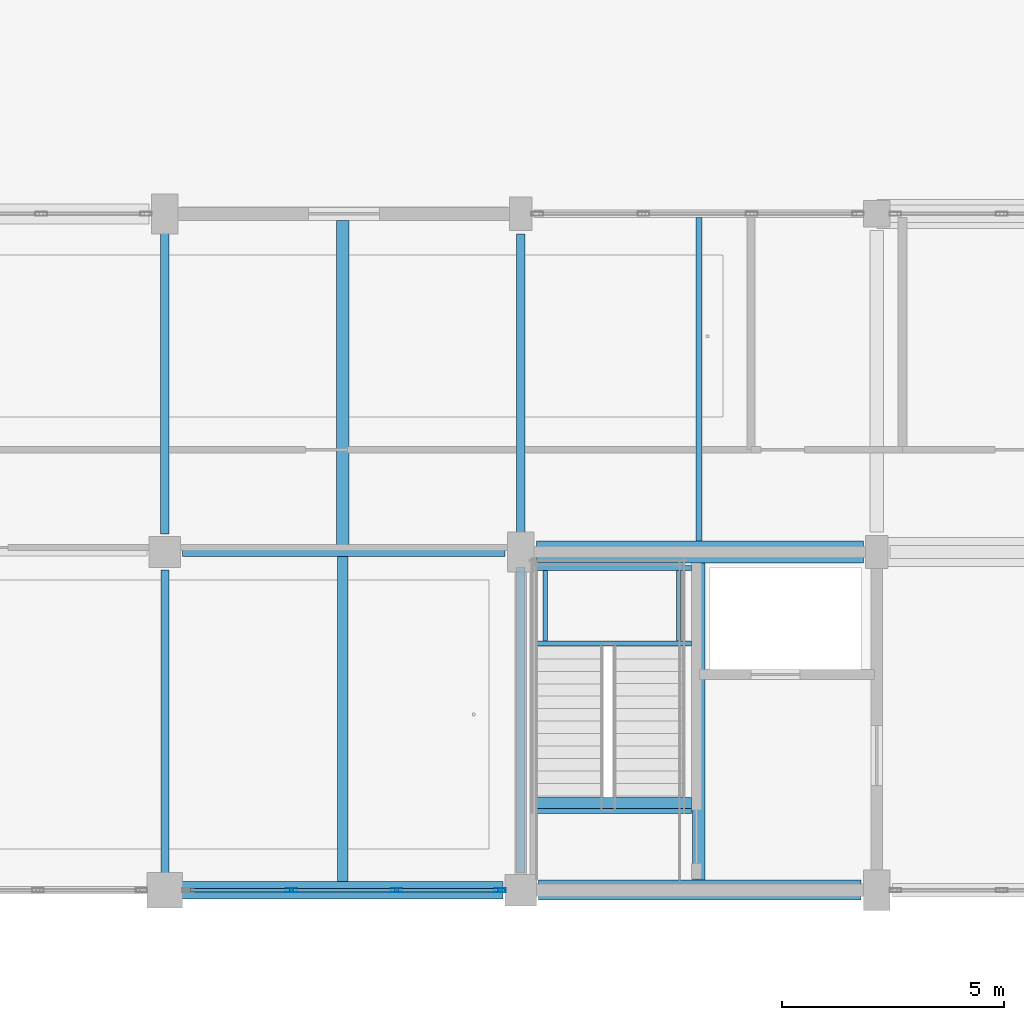
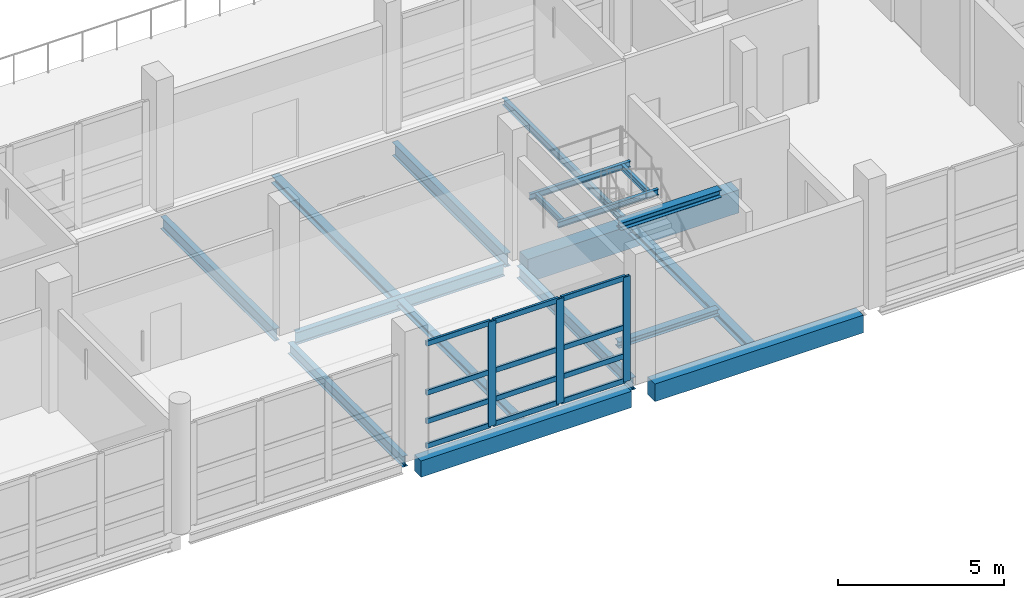
# One storey, part 30 of 147: 18 beams, 15 members, 1 element without a shape of its own.
"""IFC4 building model written with IfcOpenShell, lengths in metres."""

from ifc_helpers import new_model, si_unit, direction, frame, origin, origin_2d, place, context, subcontext, project, spatial, rectangle, hollow_rectangle, i_section, extrude, material, material_profile, profile_set, type_object, element, aggregate, save


model = new_model("IFC4")

# Units and contexts
model_context = context("Model", 3, precision=1e-05, world=origin(), true_north=direction((0.0, 1.0)))
body_context = subcontext(model_context, "Body", "Model", "MODEL_VIEW")
ifc_project = project(units=[si_unit("LENGTHUNIT", "METRE"), si_unit("AREAUNIT", "SQUARE_METRE"), si_unit("VOLUMEUNIT", "CUBIC_METRE"), si_unit("PLANEANGLEUNIT", "RADIAN"), si_unit("MASSUNIT", "GRAM", prefix="KILO")], contexts=[model_context])

# Site, building, storey
site_placement = place(None, origin())
site = spatial("IfcSite", under=ifc_project, at=site_placement, CompositionType="ELEMENT")
building_placement = place(site_placement, origin())
building = spatial("IfcBuilding", under=site, at=building_placement, Name="Khelvaren Railside Concert Hall", CompositionType="ELEMENT")
storey_placement = place(building_placement, frame((0.0, 0.0, 5.39990234375)))
storey = spatial("IfcBuildingStorey", under=building, at=storey_placement, Name="L01", CompositionType="ELEMENT", Elevation=5.39990234375)

# Beams
ifc_material_1 = material(Name="Steel S355", Category="steel")
ifc_material_profile_1 = material_profile(ifc_material_1, i_section(OverallWidth=0.179931640625, OverallDepth=0.39990234375, WebThickness=0.008544921875, FlangeThickness=0.013427734375, FilletRadius=0.02099609375, at=origin_2d()), Name="IPE 400")
ifc_profile_set_1 = profile_set([ifc_material_profile_1], Name="Steel S355")
beam_type_1 = type_object("IfcBeamType", Name="BM29", PredefinedType="BEAM", material=ifc_profile_set_1)
beam_1_placement = place(storey_placement, frame((112.0, 0.27294921875, -0.5), z_axis=(0.0, 1.0, 0.0), x_axis=(-1.0, 0.0, 0.0)))
element("IfcBeam", 1, at=beam_1_placement, inside=storey, type_object=beam_type_1, Name="V3 L01 Beam Y7.1", PredefinedType="BEAM", context=body_context, shape_type="SweptSolid", body=[
    extrude(i_section(OverallWidth=0.179931640625, OverallDepth=0.39990234375, WebThickness=0.008544921875, FlangeThickness=0.013427734375, FilletRadius=0.02099609375, at=origin_2d()), origin(), (0.0, 0.0, 1.0), 6.927001953125),
])
ifc_material_profile_2 = material_profile(ifc_material_1, i_section(OverallWidth=0.239990234375, OverallDepth=0.22998046875, WebThickness=0.007568359375, FlangeThickness=0.011962890625, FilletRadius=0.02099609375, at=origin_2d()), Name="HEA 240")
ifc_profile_set_2 = profile_set([ifc_material_profile_2], Name="Steel S355")
beam_type_2 = type_object("IfcBeamType", Name="BM42", PredefinedType="BEAM", material=ifc_profile_set_2)
beam_2_placement = place(storey_placement, frame((120.344970703125, 1.960693359375, -0.114990234375), z_axis=(1.0, 0.0, 0.0), x_axis=(0.0, 1.0, 0.0)))
element("IfcBeam", 2, at=beam_2_placement, inside=storey, type_object=beam_type_2, Name="ST-06 L01 Stair Foot Trimmer Beam", PredefinedType="BEAM", context=body_context, shape_type="SweptSolid", body=[
    extrude(i_section(OverallWidth=0.239990234375, OverallDepth=0.22998046875, WebThickness=0.007568359375, FlangeThickness=0.011962890625, FilletRadius=0.02099609375, at=origin_2d()), origin(), (0.0, 0.0, 1.0), 3.4951171875),
])
ifc_material_profile_3 = material_profile(ifc_material_1, i_section(OverallWidth=0.199951171875, OverallDepth=0.5, WebThickness=0.01025390625, FlangeThickness=0.01611328125, FilletRadius=0.02099609375, at=origin_2d()), Name="IPE 500")
ifc_profile_set_3 = profile_set([ifc_material_profile_3], Name="Steel S355")
beam_type_3 = type_object("IfcBeamType", Name="BM62", PredefinedType="BEAM", material=ifc_profile_set_3)
beam_3_placement = place(storey_placement, frame((120.0, 7.949951171875, -0.5498046875), z_axis=(0.0, 1.0, 0.0), x_axis=(-1.0, 0.0, 0.0)))
element("IfcBeam", 3, at=beam_3_placement, inside=storey, type_object=beam_type_3, Name="V3 L01 Beam Y8.2", PredefinedType="BEAM", context=body_context, shape_type="SweptSolid", body=[
    extrude(i_section(OverallWidth=0.199951171875, OverallDepth=0.5, WebThickness=0.01025390625, FlangeThickness=0.01611328125, FilletRadius=0.02099609375, at=origin_2d()), origin(), (0.0, 0.0, 1.0), 6.800048828125),
])
ifc_material_profile_4 = material_profile(ifc_material_1, i_section(OverallWidth=0.110107421875, OverallDepth=0.219970703125, WebThickness=0.005859375, FlangeThickness=0.00927734375, FilletRadius=0.011962890625, at=origin_2d()), Name="IPE 220")
ifc_profile_set_4 = profile_set([ifc_material_profile_4], Name="Steel S355")
beam_type_4 = type_object("IfcBeamType", Name="BM87", PredefinedType="BEAM", material=ifc_profile_set_4)
for number, where, z_axis, x_axis, name in (
    (4, (120.344970703125, 5.544921875, 2.090087890625), (1.0, 0.0, 0.0), (0.0, 1.0, 0.0), "ST-06 L01 Half-Landing Front Beam"),
    (5, (120.344970703125, 7.239990234375, 2.090087890625), (1.0, 0.0, 0.0), (0.0, 1.0, 0.0), "ST-06 L01 Half-Landing Rear Beam"),
):
    element("IfcBeam", number, at=place(storey_placement, frame(where, z_axis=z_axis, x_axis=x_axis)), inside=storey, type_object=beam_type_4, Name=name, PredefinedType="BEAM", context=body_context, shape_type="SweptSolid", body=[
        extrude(i_section(OverallWidth=0.110107421875, OverallDepth=0.219970703125, WebThickness=0.005859375, FlangeThickness=0.00927734375, FilletRadius=0.011962890625, at=origin_2d()), origin(), (0.0, 0.0, 1.0), 3.4951171875),
    ])
for number, where, z_axis, x_axis, name in (
    (6, (120.550048828125, 5.60009765625, 2.090087890625), (0.0, 1.0, 0.0), (-1.0, 0.0, 0.0), "ST-06 L01 Half-Landing Side Tie W"),
    (7, (123.550048828125, 5.60009765625, 2.090087890625), (0.0, 1.0, 0.0), (-1.0, 0.0, 0.0), "ST-06 L01 Half-Landing Side Tie E"),
):
    element("IfcBeam", number, at=place(storey_placement, frame(where, z_axis=z_axis, x_axis=x_axis)), inside=storey, type_object=beam_type_4, Name=name, PredefinedType="BEAM", context=body_context, shape_type="SweptSolid", body=[
        extrude(i_section(OverallWidth=0.110107421875, OverallDepth=0.219970703125, WebThickness=0.005859375, FlangeThickness=0.00927734375, FilletRadius=0.011962890625, at=origin_2d()), origin(), (0.0, 0.0, 1.0), 1.5849609375),
    ])
ifc_material_profile_5 = material_profile(ifc_material_1, i_section(OverallWidth=0.280029296875, OverallDepth=0.27001953125, WebThickness=0.008056640625, FlangeThickness=0.012939453125, FilletRadius=0.02392578125, at=origin_2d()), Name="HEA 280")
ifc_profile_set_5 = profile_set([ifc_material_profile_5], Name="Steel S355")
beam_type_5 = type_object("IfcBeamType", Name="BM93", PredefinedType="BEAM", material=ifc_profile_set_5)
beam_4_placement = place(storey_placement, frame((120.344970703125, 1.860107421875, 4.31787109375), z_axis=(1.0, 0.0, 0.0), x_axis=(0.0, 1.0, 0.0)))
element("IfcBeam", 8, at=beam_4_placement, inside=storey, type_object=beam_type_5, Name="ST-06 L01 Stair Top Arrival Trimmer Beam", PredefinedType="BEAM", context=body_context, shape_type="SweptSolid", body=[
    extrude(i_section(OverallWidth=0.280029296875, OverallDepth=0.27001953125, WebThickness=0.008056640625, FlangeThickness=0.012939453125, FilletRadius=0.02392578125, at=origin_2d()), origin(), (0.0, 0.0, 1.0), 3.4951171875),
])
ifc_material_profile_6 = material_profile(ifc_material_1, i_section(OverallWidth=0.18994140625, OverallDepth=0.449951171875, WebThickness=0.009521484375, FlangeThickness=0.0146484375, FilletRadius=0.02099609375, at=origin_2d()), Name="IPE 450")
ifc_profile_set_6 = profile_set([ifc_material_profile_6], Name="Steel S355")
beam_type_6 = type_object("IfcBeamType", Name="BM95", PredefinedType="BEAM", material=ifc_profile_set_6)
beam_5_placement = place(storey_placement, frame((112.39990234375, 7.60009765625, -0.52490234375), z_axis=(1.0, 0.0, 0.0), x_axis=(0.0, 1.0, 0.0)))
element("IfcBeam", 9, at=beam_5_placement, inside=storey, type_object=beam_type_6, Name="V3 L01 Beam X2.7", PredefinedType="BEAM", context=body_context, shape_type="SweptSolid", body=[
    extrude(i_section(OverallWidth=0.18994140625, OverallDepth=0.449951171875, WebThickness=0.009521484375, FlangeThickness=0.0146484375, FilletRadius=0.02099609375, at=origin_2d()), origin(), (0.0, 0.0, 1.0), 7.25),
])
for number, where, z_axis, x_axis, name in (
    (10, (112.0, 8.0, -0.52490234375), (0.0, 1.0, 0.0), (-1.0, 0.0, 0.0), "V3 L01 Beam Y7.2"),
    (11, (120.0, 0.39990234375, -0.52490234375), (0.0, 1.0, 0.0), (-1.0, 0.0, 0.0), "V3 L01 Beam Y8.1"),
):
    element("IfcBeam", number, at=place(storey_placement, frame(where, z_axis=z_axis, x_axis=x_axis)), inside=storey, type_object=beam_type_6, Name=name, PredefinedType="BEAM", context=body_context, shape_type="SweptSolid", body=[
        extrude(i_section(OverallWidth=0.18994140625, OverallDepth=0.449951171875, WebThickness=0.009521484375, FlangeThickness=0.0146484375, FilletRadius=0.02099609375, at=origin_2d()), origin(), (0.0, 0.0, 1.0), 6.85009765625),
    ])

# Curtain wall, members
ifc_material_2 = material(Name="Acoustic laminated crystal facade glass", Category="glass")
curtain_wall_type = type_object("IfcCurtainWallType", Name="CW66", PredefinedType="USERDEFINED", material=ifc_material_2)
curtain_wall_placement = place(storey_placement, origin())
curtain_wall = element("IfcCurtainWall", 12, at=curtain_wall_placement, inside=storey, type_object=curtain_wall_type, Name="Unitised Curtain Wall CW-V3-L01-S-112", ObjectType="UNITISED CURTAIN WALL", PredefinedType="USERDEFINED")
ifc_material_3 = material(Name="Anodised architectural aluminium 6063-T6", Category="aluminium")
ifc_material_profile_7 = material_profile(ifc_material_3, hollow_rectangle(XDim=0.0849609375, YDim=0.260009765625, WallThickness=0.0048828125, InnerFilletRadius=0.0029296875, OuterFilletRadius=0.0048828125, at=origin_2d()), Name="CWM 85x260x5")
ifc_profile_set_7 = profile_set([ifc_material_profile_7], Name="Anodised architectural aluminium 6063-T6")
member_type_1 = type_object("IfcMemberType", Name="CWM40", PredefinedType="MULLION", material=ifc_profile_set_7)
member_1_placement = place(storey_placement, frame((119.530029296875, 0.0, 0.0), z_axis=(0.0, 0.0, 1.0), x_axis=(0.0, -1.0, 0.0)))
member_1 = element("IfcMember", 13, at=member_1_placement, type_object=member_type_1, Name="CW66 mullion 1", PredefinedType="MULLION", context=body_context, shape_type="SweptSolid", body=[
    extrude(hollow_rectangle(XDim=0.0849609375, YDim=0.260009765625, WallThickness=0.0048828125, InnerFilletRadius=0.0029296875, OuterFilletRadius=0.0048828125, at=origin_2d()), origin(), (0.0, 0.0, 1.0), 3.85009765625),
])
member_2_placement = place(storey_placement, frame((117.20751953125, 0.0, 0.0), z_axis=(0.0, 0.0, 1.0), x_axis=(0.0, -1.0, 0.0)))
member_2 = element("IfcMember", 14, at=member_2_placement, type_object=member_type_1, Name="CW66 mullion 2", PredefinedType="MULLION", context=body_context, shape_type="SweptSolid", body=[
    extrude(hollow_rectangle(XDim=0.0849609375, YDim=0.260009765625, WallThickness=0.0048828125, InnerFilletRadius=0.0029296875, OuterFilletRadius=0.0048828125, at=origin_2d()), origin(), (0.0, 0.0, 1.0), 3.85009765625),
])
member_3_placement = place(storey_placement, frame((114.842529296875, 0.0, 0.0), z_axis=(0.0, 0.0, 1.0), x_axis=(0.0, -1.0, 0.0)))
member_3 = element("IfcMember", 15, at=member_3_placement, type_object=member_type_1, Name="CW66 mullion 3", PredefinedType="MULLION", context=body_context, shape_type="SweptSolid", body=[
    extrude(hollow_rectangle(XDim=0.0849609375, YDim=0.260009765625, WallThickness=0.0048828125, InnerFilletRadius=0.0029296875, OuterFilletRadius=0.0048828125, at=origin_2d()), origin(), (0.0, 0.0, 1.0), 3.85009765625),
])
ifc_material_profile_8 = material_profile(ifc_material_3, hollow_rectangle(XDim=0.0849609375, YDim=0.18994140625, WallThickness=0.0048828125, InnerFilletRadius=0.0029296875, OuterFilletRadius=0.0048828125, at=origin_2d()), Name="CWT 85x190x5")
ifc_profile_set_8 = profile_set([ifc_material_profile_8], Name="Anodised architectural aluminium 6063-T6")
member_type_2 = type_object("IfcMemberType", Name="CWT31", PredefinedType="USERDEFINED", material=ifc_profile_set_8)
member_4_placement = place(storey_placement, frame((119.487548828125, 0.0, 0.04248046875), z_axis=(-1.0, 0.0, 0.0), x_axis=(0.0, -1.0, 0.0)))
member_4 = element("IfcMember", 16, at=member_4_placement, type_object=member_type_2, Name="CW66 transom 1.1", ObjectType="TRANSOM", PredefinedType="USERDEFINED", context=body_context, shape_type="SweptSolid", body=[
    extrude(hollow_rectangle(XDim=0.0849609375, YDim=0.18994140625, WallThickness=0.0048828125, InnerFilletRadius=0.0029296875, OuterFilletRadius=0.0048828125, at=origin_2d()), origin(), (0.0, 0.0, 1.0), 2.237548828125),
])
member_5_placement = place(storey_placement, frame((119.487548828125, 0.0, 0.9501953125), z_axis=(-1.0, 0.0, 0.0), x_axis=(0.0, -1.0, 0.0)))
member_5 = element("IfcMember", 17, at=member_5_placement, type_object=member_type_2, Name="CW66 transom 1.2", ObjectType="TRANSOM", PredefinedType="USERDEFINED", context=body_context, shape_type="SweptSolid", body=[
    extrude(hollow_rectangle(XDim=0.0849609375, YDim=0.18994140625, WallThickness=0.0048828125, InnerFilletRadius=0.0029296875, OuterFilletRadius=0.0048828125, at=origin_2d()), origin(), (0.0, 0.0, 1.0), 2.237548828125),
])
member_6_placement = place(storey_placement, frame((119.487548828125, 0.0, 2.002197265625), z_axis=(-1.0, 0.0, 0.0), x_axis=(0.0, -1.0, 0.0)))
member_6 = element("IfcMember", 18, at=member_6_placement, type_object=member_type_2, Name="CW66 transom 1.3", ObjectType="TRANSOM", PredefinedType="USERDEFINED", context=body_context, shape_type="SweptSolid", body=[
    extrude(hollow_rectangle(XDim=0.0849609375, YDim=0.18994140625, WallThickness=0.0048828125, InnerFilletRadius=0.0029296875, OuterFilletRadius=0.0048828125, at=origin_2d()), origin(), (0.0, 0.0, 1.0), 2.237548828125),
])
member_7_placement = place(storey_placement, frame((119.487548828125, 0.0, 3.8076171875), z_axis=(-1.0, 0.0, 0.0), x_axis=(0.0, -1.0, 0.0)))
member_7 = element("IfcMember", 19, at=member_7_placement, type_object=member_type_2, Name="CW66 transom 1.4", ObjectType="TRANSOM", PredefinedType="USERDEFINED", context=body_context, shape_type="SweptSolid", body=[
    extrude(hollow_rectangle(XDim=0.0849609375, YDim=0.18994140625, WallThickness=0.0048828125, InnerFilletRadius=0.0029296875, OuterFilletRadius=0.0048828125, at=origin_2d()), origin(), (0.0, 0.0, 1.0), 2.237548828125),
])
member_8_placement = place(storey_placement, frame((117.1650390625, 0.0, 0.04248046875), z_axis=(-1.0, 0.0, 0.0), x_axis=(0.0, -1.0, 0.0)))
member_8 = element("IfcMember", 20, at=member_8_placement, type_object=member_type_2, Name="CW66 transom 2.1", ObjectType="TRANSOM", PredefinedType="USERDEFINED", context=body_context, shape_type="SweptSolid", body=[
    extrude(hollow_rectangle(XDim=0.0849609375, YDim=0.18994140625, WallThickness=0.0048828125, InnerFilletRadius=0.0029296875, OuterFilletRadius=0.0048828125, at=origin_2d()), origin(), (0.0, 0.0, 1.0), 2.280029296875),
])
member_9_placement = place(storey_placement, frame((117.1650390625, 0.0, 0.9501953125), z_axis=(-1.0, 0.0, 0.0), x_axis=(0.0, -1.0, 0.0)))
member_9 = element("IfcMember", 21, at=member_9_placement, type_object=member_type_2, Name="CW66 transom 2.2", ObjectType="TRANSOM", PredefinedType="USERDEFINED", context=body_context, shape_type="SweptSolid", body=[
    extrude(hollow_rectangle(XDim=0.0849609375, YDim=0.18994140625, WallThickness=0.0048828125, InnerFilletRadius=0.0029296875, OuterFilletRadius=0.0048828125, at=origin_2d()), origin(), (0.0, 0.0, 1.0), 2.280029296875),
])
member_10_placement = place(storey_placement, frame((117.1650390625, 0.0, 2.002197265625), z_axis=(-1.0, 0.0, 0.0), x_axis=(0.0, -1.0, 0.0)))
member_10 = element("IfcMember", 22, at=member_10_placement, type_object=member_type_2, Name="CW66 transom 2.3", ObjectType="TRANSOM", PredefinedType="USERDEFINED", context=body_context, shape_type="SweptSolid", body=[
    extrude(hollow_rectangle(XDim=0.0849609375, YDim=0.18994140625, WallThickness=0.0048828125, InnerFilletRadius=0.0029296875, OuterFilletRadius=0.0048828125, at=origin_2d()), origin(), (0.0, 0.0, 1.0), 2.280029296875),
])
member_11_placement = place(storey_placement, frame((117.1650390625, 0.0, 3.8076171875), z_axis=(-1.0, 0.0, 0.0), x_axis=(0.0, -1.0, 0.0)))
member_11 = element("IfcMember", 23, at=member_11_placement, type_object=member_type_2, Name="CW66 transom 2.4", ObjectType="TRANSOM", PredefinedType="USERDEFINED", context=body_context, shape_type="SweptSolid", body=[
    extrude(hollow_rectangle(XDim=0.0849609375, YDim=0.18994140625, WallThickness=0.0048828125, InnerFilletRadius=0.0029296875, OuterFilletRadius=0.0048828125, at=origin_2d()), origin(), (0.0, 0.0, 1.0), 2.280029296875),
])
member_12_placement = place(storey_placement, frame((114.800048828125, 0.0, 0.04248046875), z_axis=(-1.0, 0.0, 0.0), x_axis=(0.0, -1.0, 0.0)))
member_12 = element("IfcMember", 24, at=member_12_placement, type_object=member_type_2, Name="CW66 transom 3.1", ObjectType="TRANSOM", PredefinedType="USERDEFINED", context=body_context, shape_type="SweptSolid", body=[
    extrude(hollow_rectangle(XDim=0.0849609375, YDim=0.18994140625, WallThickness=0.0048828125, InnerFilletRadius=0.0029296875, OuterFilletRadius=0.0048828125, at=origin_2d()), origin(), (0.0, 0.0, 1.0), 2.237548828125),
])
member_13_placement = place(storey_placement, frame((114.800048828125, 0.0, 0.9501953125), z_axis=(-1.0, 0.0, 0.0), x_axis=(0.0, -1.0, 0.0)))
member_13 = element("IfcMember", 25, at=member_13_placement, type_object=member_type_2, Name="CW66 transom 3.2", ObjectType="TRANSOM", PredefinedType="USERDEFINED", context=body_context, shape_type="SweptSolid", body=[
    extrude(hollow_rectangle(XDim=0.0849609375, YDim=0.18994140625, WallThickness=0.0048828125, InnerFilletRadius=0.0029296875, OuterFilletRadius=0.0048828125, at=origin_2d()), origin(), (0.0, 0.0, 1.0), 2.237548828125),
])
member_14_placement = place(storey_placement, frame((114.800048828125, 0.0, 2.002197265625), z_axis=(-1.0, 0.0, 0.0), x_axis=(0.0, -1.0, 0.0)))
member_14 = element("IfcMember", 26, at=member_14_placement, type_object=member_type_2, Name="CW66 transom 3.3", ObjectType="TRANSOM", PredefinedType="USERDEFINED", context=body_context, shape_type="SweptSolid", body=[
    extrude(hollow_rectangle(XDim=0.0849609375, YDim=0.18994140625, WallThickness=0.0048828125, InnerFilletRadius=0.0029296875, OuterFilletRadius=0.0048828125, at=origin_2d()), origin(), (0.0, 0.0, 1.0), 2.237548828125),
])
member_15_placement = place(storey_placement, frame((114.800048828125, 0.0, 3.8076171875), z_axis=(-1.0, 0.0, 0.0), x_axis=(0.0, -1.0, 0.0)))
member_15 = element("IfcMember", 27, at=member_15_placement, type_object=member_type_2, Name="CW66 transom 3.4", ObjectType="TRANSOM", PredefinedType="USERDEFINED", context=body_context, shape_type="SweptSolid", body=[
    extrude(hollow_rectangle(XDim=0.0849609375, YDim=0.18994140625, WallThickness=0.0048828125, InnerFilletRadius=0.0029296875, OuterFilletRadius=0.0048828125, at=origin_2d()), origin(), (0.0, 0.0, 1.0), 2.237548828125),
])
aggregate(curtain_wall, [member_1, member_2, member_3, member_4, member_5, member_6, member_7, member_8, member_9, member_10, member_11, member_12, member_13, member_14, member_15])

# Beams
ifc_material_4 = material(Name="Concrete C40/50", Category="concrete")
ifc_material_profile_9 = material_profile(ifc_material_4, rectangle(XDim=0.5, YDim=0.85009765625, at=origin_2d()), Name="RCB 500x850")
ifc_profile_set_9 = profile_set([ifc_material_profile_9], Name="Concrete C40/50")
beam_type_7 = type_object("IfcBeamType", Name="GR96", PredefinedType="T_BEAM", material=ifc_profile_set_9)
beam_6_placement = place(storey_placement, frame((120.35009765625, 7.60009765625, -0.724853515625), z_axis=(1.0, 0.0, 0.0), x_axis=(0.0, 1.0, 0.0)))
element("IfcBeam", 28, at=beam_6_placement, inside=storey, type_object=beam_type_7, Name="V3 L01 T_Beam X2.8", PredefinedType="T_BEAM", context=body_context, shape_type="SweptSolid", body=[
    extrude(rectangle(XDim=0.5, YDim=0.85009765625, at=origin_2d()), origin(), (0.0, 0.0, 1.0), 7.349853515625),
])
ifc_material_profile_10 = material_profile(ifc_material_1, i_section(OverallWidth=0.280029296875, OverallDepth=0.27001953125, WebThickness=0.008056640625, FlangeThickness=0.012939453125, FilletRadius=0.02392578125, at=origin_2d()), Name="HEA 280")
ifc_profile_set_10 = profile_set([ifc_material_profile_10], Name="Steel S355")
beam_type_8 = type_object("IfcBeamType", Name="JS46", PredefinedType="JOIST", material=ifc_profile_set_10)
beam_7_placement = place(storey_placement, frame((116.0, 7.695068359375, -0.434814453125), z_axis=(0.0, 1.0, 0.0), x_axis=(-1.0, 0.0, 0.0)))
element("IfcBeam", 29, at=beam_7_placement, inside=storey, type_object=beam_type_8, Name="V3 L01 Secondary Joist 7.2", PredefinedType="JOIST", context=body_context, shape_type="SweptSolid", body=[
    extrude(i_section(OverallWidth=0.280029296875, OverallDepth=0.27001953125, WebThickness=0.008056640625, FlangeThickness=0.012939453125, FilletRadius=0.02392578125, at=origin_2d()), origin(), (0.0, 0.0, 1.0), 7.35498046875),
])
beam_8_placement = place(storey_placement, frame((124.0, 0.22509765625, -0.434814453125), z_axis=(0.0, 1.0, 0.0), x_axis=(-1.0, 0.0, 0.0)))
element("IfcBeam", 30, at=beam_8_placement, inside=storey, type_object=beam_type_8, Name="V3 L01 Secondary Joist 8.1", PredefinedType="JOIST", context=body_context, shape_type="SweptSolid", body=[
    extrude(i_section(OverallWidth=0.280029296875, OverallDepth=0.27001953125, WebThickness=0.008056640625, FlangeThickness=0.012939453125, FilletRadius=0.02392578125, at=origin_2d()), origin(), (0.0, 0.0, 1.0), 7.125),
])
ifc_material_profile_11 = material_profile(ifc_material_1, i_section(OverallWidth=0.239990234375, OverallDepth=0.22998046875, WebThickness=0.007568359375, FlangeThickness=0.011962890625, FilletRadius=0.02099609375, at=origin_2d()), Name="HEA 240")
ifc_profile_set_11 = profile_set([ifc_material_profile_11], Name="Steel S355")
beam_type_9 = type_object("IfcBeamType", Name="JS76", PredefinedType="JOIST", material=ifc_profile_set_11)
beam_9_placement = place(storey_placement, frame((116.0, 0.199951171875, -0.414794921875), z_axis=(0.0, 1.0, 0.0), x_axis=(-1.0, 0.0, 0.0)))
element("IfcBeam", 31, at=beam_9_placement, inside=storey, type_object=beam_type_9, Name="V3 L01 Secondary Joist 7.1", PredefinedType="JOIST", context=body_context, shape_type="SweptSolid", body=[
    extrude(i_section(OverallWidth=0.239990234375, OverallDepth=0.22998046875, WebThickness=0.007568359375, FlangeThickness=0.011962890625, FilletRadius=0.02099609375, at=origin_2d()), origin(), (0.0, 0.0, 1.0), 7.304931640625),
])
ifc_material_profile_12 = material_profile(ifc_material_1, i_section(OverallWidth=0.135009765625, OverallDepth=0.27001953125, WebThickness=0.006591796875, FlangeThickness=0.01025390625, FilletRadius=0.014892578125, at=origin_2d()), Name="IPE 270")
ifc_profile_set_12 = profile_set([ifc_material_profile_12], Name="Steel S355")
beam_type_10 = type_object("IfcBeamType", Name="JS78", PredefinedType="JOIST", material=ifc_profile_set_12)
beam_10_placement = place(storey_placement, frame((124.0, 7.85009765625, -0.434814453125), z_axis=(0.0, 1.0, 0.0), x_axis=(-1.0, 0.0, 0.0)))
element("IfcBeam", 32, at=beam_10_placement, inside=storey, type_object=beam_type_10, Name="V3 L01 Secondary Joist 8.2", PredefinedType="JOIST", context=body_context, shape_type="SweptSolid", body=[
    extrude(i_section(OverallWidth=0.135009765625, OverallDepth=0.27001953125, WebThickness=0.006591796875, FlangeThickness=0.01025390625, FilletRadius=0.014892578125, at=origin_2d()), origin(), (0.0, 0.0, 1.0), 7.264892578125),
])
ifc_material_profile_13 = material_profile(ifc_material_4, rectangle(XDim=0.449951171875, YDim=0.64990234375, at=origin_2d()), Name="RCB 450x650")
ifc_profile_set_13 = profile_set([ifc_material_profile_13], Name="Concrete C40/50")
beam_type_11 = type_object("IfcBeamType", Name="SP34", PredefinedType="SPANDREL", material=ifc_profile_set_13)
beam_11_placement = place(storey_placement, frame((120.39990234375, 0.0, -0.625), z_axis=(1.0, 0.0, 0.0), x_axis=(0.0, 1.0, 0.0)))
element("IfcBeam", 33, at=beam_11_placement, inside=storey, type_object=beam_type_11, Name="V3 L01 Spandrel X1.8", PredefinedType="SPANDREL", context=body_context, shape_type="SweptSolid", body=[
    extrude(rectangle(XDim=0.449951171875, YDim=0.64990234375, at=origin_2d()), origin(), (0.0, 0.0, 1.0), 7.25),
])
ifc_material_profile_14 = material_profile(ifc_material_4, rectangle(XDim=0.39990234375, YDim=0.60009765625, at=origin_2d()), Name="RCB 400x600")
ifc_profile_set_14 = profile_set([ifc_material_profile_14], Name="Concrete C40/50")
beam_type_12 = type_object("IfcBeamType", Name="SP75", PredefinedType="SPANDREL", material=ifc_profile_set_14)
beam_12_placement = place(storey_placement, frame((112.27294921875, 0.0, -0.599853515625), z_axis=(1.0, 0.0, 0.0), x_axis=(0.0, 1.0, 0.0)))
element("IfcBeam", 34, at=beam_12_placement, inside=storey, type_object=beam_type_12, Name="V3 L01 Spandrel X1.7", PredefinedType="SPANDREL", context=body_context, shape_type="SweptSolid", body=[
    extrude(rectangle(XDim=0.39990234375, YDim=0.60009765625, at=origin_2d()), origin(), (0.0, 0.0, 1.0), 7.3271484375),
])

save(model, "model.ifc")
